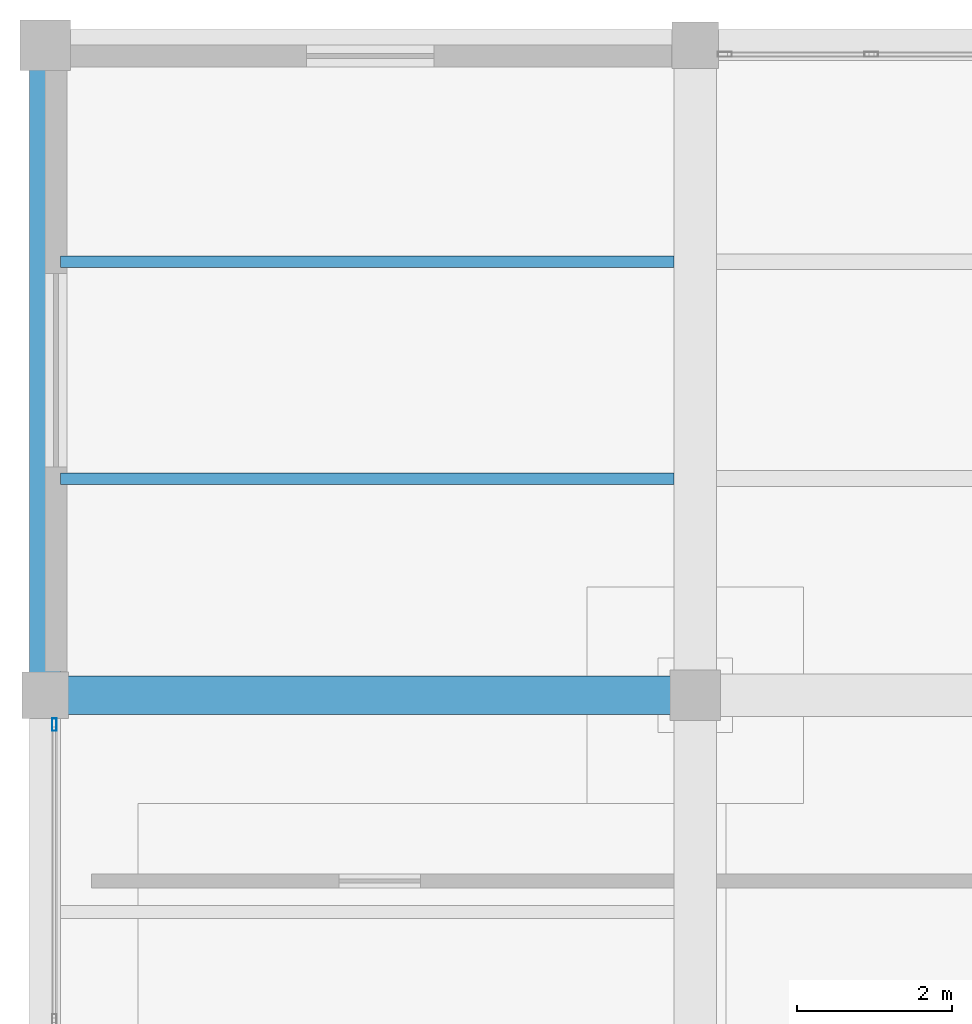
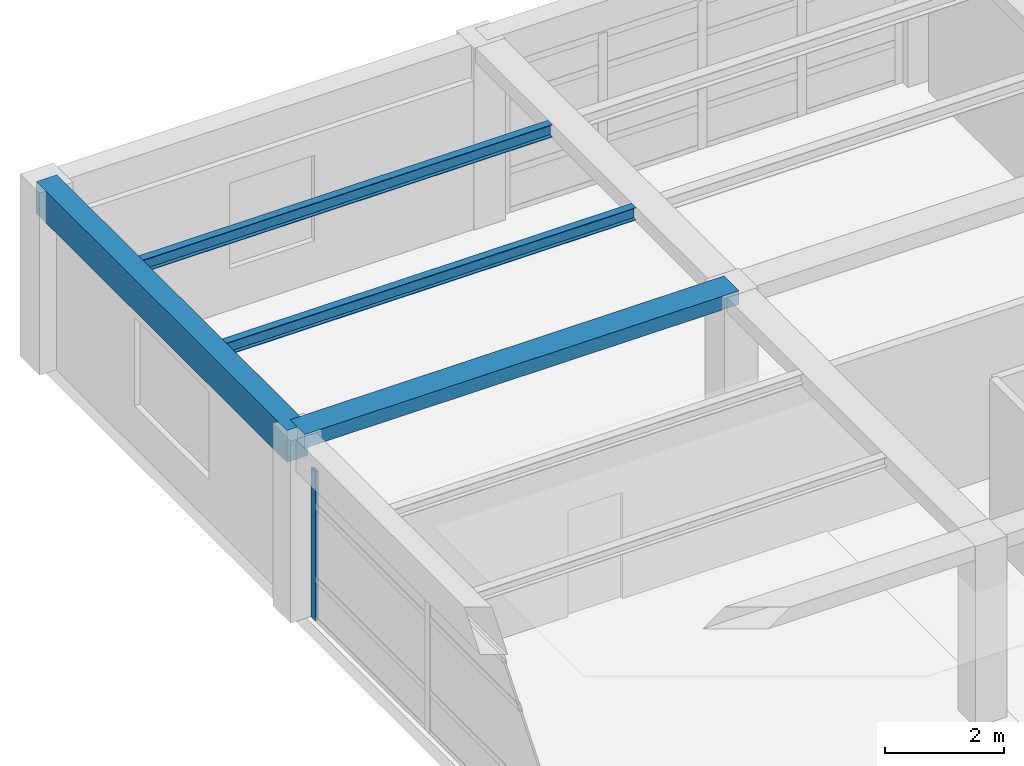
# One storey, part 10 of 25: 4 beams, 1 member, 1 element without a shape of its own.
"""IFC4 building model written with IfcOpenShell, lengths in metres."""

from ifc_helpers import new_model, si_unit, direction, frame, origin, origin_2d, place, context, subcontext, project, spatial, rectangle, hollow_rectangle, i_section, extrude, material, material_profile, profile_set, type_object, element, aggregate, save


model = new_model("IFC4")

# Units and contexts
model_context = context("Model", 3, precision=1e-05, world=origin(), true_north=direction((0.0, 1.0)))
body_context = subcontext(model_context, "Body", "Model", "MODEL_VIEW")
ifc_project = project(units=[si_unit("LENGTHUNIT", "METRE"), si_unit("AREAUNIT", "SQUARE_METRE"), si_unit("VOLUMEUNIT", "CUBIC_METRE"), si_unit("PLANEANGLEUNIT", "RADIAN"), si_unit("MASSUNIT", "GRAM", prefix="KILO")], contexts=[model_context])

# Site, building, storey
site_placement = place(None, origin())
site = spatial("IfcSite", under=ifc_project, at=site_placement, CompositionType="ELEMENT")
building_placement = place(site_placement, origin())
building = spatial("IfcBuilding", under=site, at=building_placement, Name="Almacenes y Pasaje Nevantli", CompositionType="ELEMENT")
storey_placement = place(building_placement, frame((0.0, 0.0, 50.699951171875)))
storey = spatial("IfcBuildingStorey", under=building, at=storey_placement, Name="L12", CompositionType="ELEMENT", Elevation=50.699951171875)

# Beams
ifc_material_1 = material(Name="Concrete C35/45", Category="concrete")
ifc_material_profile_1 = material_profile(ifc_material_1, rectangle(XDim=0.39990234375, YDim=0.64990234375, at=origin_2d()), Name="RC-BM-400x650")
ifc_profile_set_1 = profile_set([ifc_material_profile_1], Name="Concrete C35/45")
beam_type_1 = type_object("IfcBeamType", Name="BM-RC-400x650", PredefinedType="SPANDREL", material=ifc_profile_set_1)
beam_1_placement = place(storey_placement, frame((117.60009765625, 92.39990234375, 3.39501953125), z_axis=(0.0, 1.0, 0.0), x_axis=(-1.0, 0.0, 0.0)))
element("IfcBeam", 1, at=beam_1_placement, inside=storey, type_object=beam_type_1, Name="L12 North-South Reinforced Concrete Beam #3919", PredefinedType="SPANDREL", context=body_context, shape_type="SweptSolid", body=[
    extrude(rectangle(XDim=0.39990234375, YDim=0.64990234375, at=origin_2d()), origin(), (0.0, 0.0, 1.0), 8.400146484375),
])
ifc_material_2 = material(Name="Concrete C35/45", Category="concrete")
ifc_material_profile_2 = material_profile(ifc_material_2, rectangle(XDim=0.5, YDim=0.280029296875, at=origin_2d()), Name="RC-BM-500x280")
ifc_profile_set_2 = profile_set([ifc_material_profile_2], Name="Concrete C35/45")
beam_type_2 = type_object("IfcBeamType", Name="BM-RC-500x280", PredefinedType="BEAM", material=ifc_profile_set_2)
beam_2_placement = place(storey_placement, frame((117.60009765625, 92.39990234375, 3.580078125), z_axis=(1.0, 0.0, 0.0), x_axis=(0.0, 1.0, 0.0)))
element("IfcBeam", 2, at=beam_2_placement, inside=storey, type_object=beam_type_2, Name="L12 East-West Reinforced Concrete Beam #3906", PredefinedType="BEAM", context=body_context, shape_type="SweptSolid", body=[
    extrude(rectangle(XDim=0.5, YDim=0.280029296875, at=origin_2d()), origin(), (0.0, 0.0, 1.0), 8.39990234375),
])
ifc_material_3 = material(Name="Steel ASTM A992", Category="steel")
ifc_material_profile_3 = material_profile(ifc_material_3, i_section(OverallWidth=0.14697265625, OverallDepth=0.257080078125, WebThickness=0.006591796875, FlangeThickness=0.01123046875, at=origin_2d()), Name="IR 254x38.7")
ifc_profile_set_3 = profile_set([ifc_material_profile_3], Name="Steel ASTM A992")
beam_type_3 = type_object("IfcBeamType", Name="BM-STL-IR-254x38p7", PredefinedType="JOIST", material=ifc_profile_set_3)
for number, where, z_axis, x_axis, name in (
    (3, (117.800048828125, 95.199951171875, 3.58349609375), (1.0, 0.0, 0.0), (0.0, 1.0, 0.0), "L12 Secondary Steel Floor Joist #1543"),
    (4, (117.800048828125, 98.0, 3.58349609375), (1.0, 0.0, 0.0), (0.0, 1.0, 0.0), "L12 Secondary Steel Floor Joist #1544"),
):
    element("IfcBeam", number, at=place(storey_placement, frame(where, z_axis=z_axis, x_axis=x_axis)), inside=storey, type_object=beam_type_3, Name=name, PredefinedType="JOIST", context=body_context, shape_type="SweptSolid", body=[
        extrude(i_section(OverallWidth=0.14697265625, OverallDepth=0.257080078125, WebThickness=0.006591796875, FlangeThickness=0.01123046875, at=origin_2d()), origin(), (0.0, 0.0, 1.0), 7.925048828125),
    ])

# Curtain wall, member
ifc_material_4 = material(Name="Thermally Broken Aluminium and Low-E Glass", Category="aluminium")
curtain_wall_type = type_object("IfcCurtainWallType", Name="CW-UNIT-TOWER", PredefinedType="USERDEFINED", material=ifc_material_4)
curtain_wall_placement = place(storey_placement, origin())
curtain_wall = element("IfcCurtainWall", 5, at=curtain_wall_placement, inside=storey, type_object=curtain_wall_type, Name="L12 Tower West Curtain Wall Bay 11", ObjectType="UNITIZED CURTAIN WALL", PredefinedType="USERDEFINED")
ifc_material_5 = material(Name="Thermally Broken Anodized Aluminium", Category="aluminium")
ifc_material_profile_4 = material_profile(ifc_material_5, hollow_rectangle(XDim=0.06005859375, YDim=0.159912109375, WallThickness=0.00390625, at=origin_2d()), Name="ALU-MUL-60x160")
ifc_profile_set_4 = profile_set([ifc_material_profile_4], Name="Thermally Broken Anodized Aluminium")
member_type = type_object("IfcMemberType", Name="CW-MUL-180", PredefinedType="MULLION", material=ifc_profile_set_4)
member_placement = place(storey_placement, frame((117.719970703125, 92.02001953125, 0.0), z_axis=(0.0, 0.0, 1.0), x_axis=(-1.0, 0.0, 0.0)))
member = element("IfcMember", 6, at=member_placement, type_object=member_type, Name="CW-L12-166 mullion 3", PredefinedType="MULLION", context=body_context, shape_type="SweptSolid", body=[
    extrude(hollow_rectangle(XDim=0.06005859375, YDim=0.159912109375, WallThickness=0.00390625, at=origin_2d()), origin(), (0.0, 0.0, 1.0), 3.0400390625),
])
aggregate(curtain_wall, [member])

save(model, "model.ifc")
